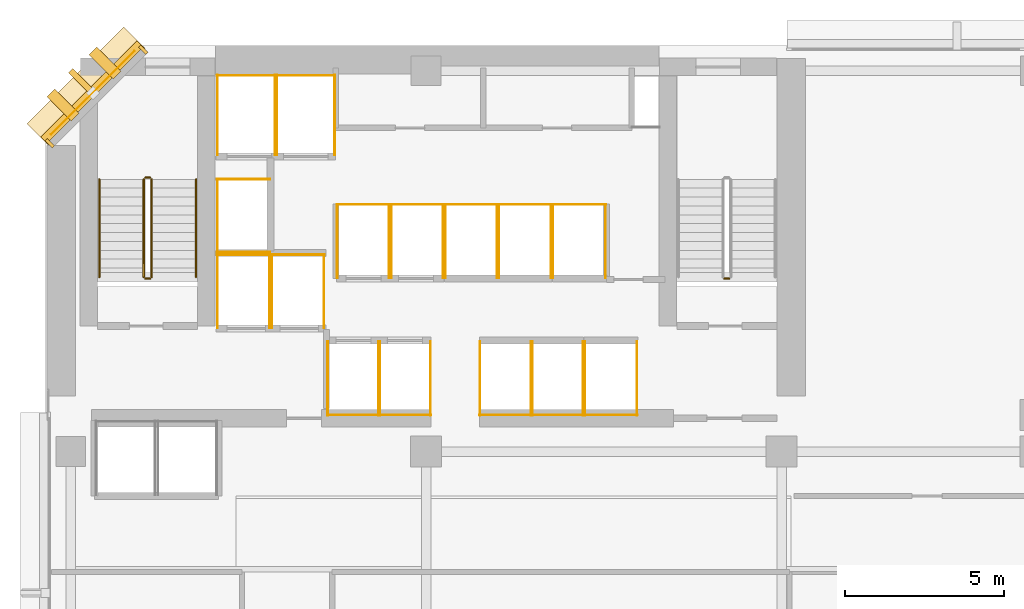
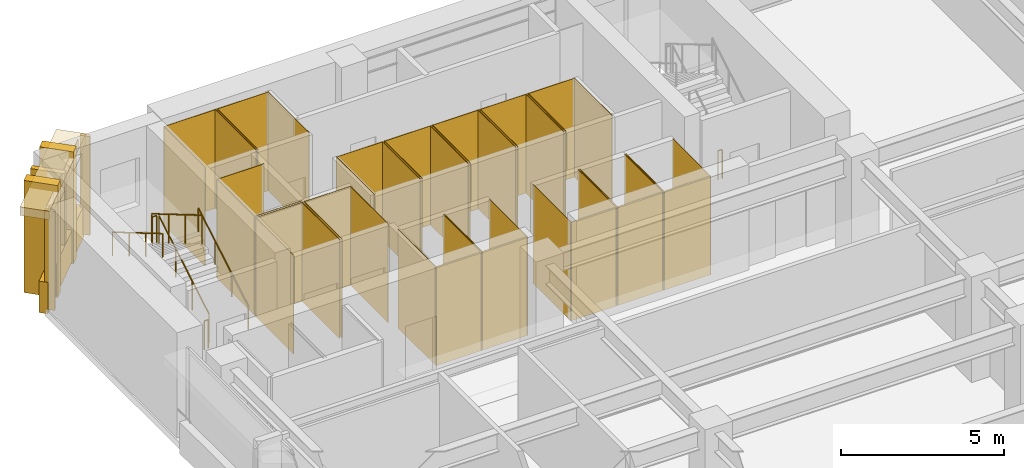
# One storey, part 11 of 13: 52 coverings, 7 railings, 1 shading device.
"""IFC4 building model written with IfcOpenShell, lengths in metres."""

from ifc_helpers import new_model, si_unit, direction, frame, origin, origin_2d, place, context, subcontext, project, spatial, polyline, rectangle, circle, outline, extrude, material, layer, layer_set, material_profile, profile_set, type_object, element, save


model = new_model("IFC4")

# Units and contexts
model_context = context("Model", 3, precision=1e-05, world=origin(), true_north=direction((0.0, 1.0)))
body_context = subcontext(model_context, "Body", "Model", "MODEL_VIEW")
ifc_project = project(units=[si_unit("LENGTHUNIT", "METRE"), si_unit("AREAUNIT", "SQUARE_METRE"), si_unit("VOLUMEUNIT", "CUBIC_METRE"), si_unit("PLANEANGLEUNIT", "RADIAN"), si_unit("MASSUNIT", "GRAM", prefix="KILO")], contexts=[model_context])

# Site, building, storey
site_placement = place(None, origin())
site = spatial("IfcSite", under=ifc_project, at=site_placement, CompositionType="ELEMENT")
building_placement = place(site_placement, origin())
building = spatial("IfcBuilding", under=site, at=building_placement, Name="Kefirva Bronze Tower", CompositionType="ELEMENT")
storey_placement = place(building_placement, frame((0.0, 0.0, 38.280029296875)))
storey = spatial("IfcBuildingStorey", under=building, at=storey_placement, Name="L08", CompositionType="ELEMENT", Elevation=38.280029296875)

# Coverings
ifc_material_1 = material(Name="Bronze anodised aluminium", Category="aluminium")
ifc_layer_1 = layer(ifc_material_1, 0.02001953125, Name="Bronze anodised aluminium")
ifc_layer_set_1 = layer_set([ifc_layer_1], Name="Bronze anodised aluminium")
covering_type_1 = type_object("IfcCoveringType", Name="Anodised Bronze Spandrel Cladding 20mm", PredefinedType="CLADDING", material=ifc_layer_set_1)
covering_1_placement = place(storey_placement, frame((1.492919921875, 44.507080078125, 3.2900390625), z_axis=(0.0, 0.0, 1.0), x_axis=(-0.707106781187, -0.707106781187, 0.0)))
element("IfcCovering", 1, at=covering_1_placement, inside=storey, type_object=covering_type_1, Name="L08 Bronze Spandrel Cladding 9", PredefinedType="CLADDING", context=body_context, shape_type="SweptSolid", body=[
    extrude(rectangle(XDim=3.719482421875, YDim=0.02001953125, at=origin_2d()), origin(), (0.0, 0.0, 1.0), 0.39990234375),
])
for number, where, z_axis, x_axis, name in (
    (2, (3.08837890625, 45.862060546875, 0.0), (0.0, 0.0, 1.0), (-0.707106781187, -0.707106781187, 0.0), "L08 Facade Joint Closure Panel 9S"),
    (3, (0.137939453125, 42.91162109375, 0.0), (0.0, 0.0, 1.0), (-0.707106781187, -0.707106781187, 0.0), "L08 Facade Joint Closure Panel 9E"),
):
    element("IfcCovering", number, at=place(storey_placement, frame(where, z_axis=z_axis, x_axis=x_axis)), inside=storey, type_object=covering_type_1, Name=name, PredefinedType="CLADDING", context=body_context, shape_type="SweptSolid", body=[
        extrude(rectangle(XDim=0.10009765625, YDim=0.320068359375, at=origin_2d()), origin(), (0.0, 0.0, 1.0), 3.7099609375),
    ])
covering_2_placement = place(storey_placement, frame((1.4716796875, 44.5283203125, -0.16015625), z_axis=(0.0, 0.0, 1.0), x_axis=(-0.707106781187, -0.707106781187, 0.0)))
element("IfcCovering", 4, at=covering_2_placement, inside=storey, type_object=covering_type_1, Name="L08 Streamline Horizontal Spandrel Band 13", PredefinedType="CLADDING", context=body_context, shape_type="SweptSolid", body=[
    extrude(rectangle(XDim=4.28271484375, YDim=0.280029296875, at=origin_2d()), origin(), (0.0, 0.0, 1.0), 1.179931640625),
])
covering_3_placement = place(storey_placement, origin())
element("IfcCovering", 5, at=covering_3_placement, inside=storey, type_object=covering_type_1, Name="L08 Lift FF1 Hoistway Liner N", PredefinedType="CLADDING", context=body_context, shape_type="SweptSolid", body=[
    extrude(outline(polyline([(5.39990234375, 39.389892578125), (7.080078125, 39.389892578125), (7.080078125, 39.409912109375), (5.39990234375, 39.409912109375), (5.39990234375, 39.389892578125)])), origin(), (0.0, 0.0, 1.0), 3.7099609375),
])
covering_4_placement = place(storey_placement, origin())
element("IfcCovering", 6, at=covering_4_placement, inside=storey, type_object=covering_type_1, Name="L08 Lift FF1 Hoistway Liner W", PredefinedType="CLADDING", context=body_context, shape_type="SweptSolid", body=[
    extrude(outline(polyline([(5.409912109375, 37.080078125), (5.429931640625, 37.080078125), (5.429931640625, 39.419921875), (5.409912109375, 39.419921875), (5.409912109375, 37.080078125)])), origin(), (0.0, 0.0, 1.0), 3.7099609375),
])
covering_5_placement = place(storey_placement, origin())
element("IfcCovering", 7, at=covering_5_placement, inside=storey, type_object=covering_type_1, Name="L08 Lift FF1 Hoistway Liner E", PredefinedType="CLADDING", context=body_context, shape_type="SweptSolid", body=[
    extrude(outline(polyline([(7.050048828125, 37.080078125), (7.070068359375, 37.080078125), (7.070068359375, 39.419921875), (7.050048828125, 39.419921875), (7.050048828125, 37.080078125)])), origin(), (0.0, 0.0, 1.0), 3.7099609375),
])
covering_6_placement = place(storey_placement, origin())
element("IfcCovering", 8, at=covering_6_placement, inside=storey, type_object=covering_type_1, Name="L08 Lift FF2 Hoistway Liner N", PredefinedType="CLADDING", context=body_context, shape_type="SweptSolid", body=[
    extrude(outline(polyline([(7.1201171875, 39.389892578125), (8.800048828125, 39.389892578125), (8.800048828125, 39.409912109375), (7.1201171875, 39.409912109375), (7.1201171875, 39.389892578125)])), origin(), (0.0, 0.0, 1.0), 3.7099609375),
])
covering_7_placement = place(storey_placement, origin())
element("IfcCovering", 9, at=covering_7_placement, inside=storey, type_object=covering_type_1, Name="L08 Lift FF2 Hoistway Liner W", PredefinedType="CLADDING", context=body_context, shape_type="SweptSolid", body=[
    extrude(outline(polyline([(7.1298828125, 37.080078125), (7.14990234375, 37.080078125), (7.14990234375, 39.419921875), (7.1298828125, 39.419921875), (7.1298828125, 37.080078125)])), origin(), (0.0, 0.0, 1.0), 3.7099609375),
])
covering_8_placement = place(storey_placement, origin())
element("IfcCovering", 10, at=covering_8_placement, inside=storey, type_object=covering_type_1, Name="L08 Lift FF2 Hoistway Liner E", PredefinedType="CLADDING", context=body_context, shape_type="SweptSolid", body=[
    extrude(outline(polyline([(8.77001953125, 37.080078125), (8.7900390625, 37.080078125), (8.7900390625, 39.419921875), (8.77001953125, 39.419921875), (8.77001953125, 37.080078125)])), origin(), (0.0, 0.0, 1.0), 3.7099609375),
])
covering_9_placement = place(storey_placement, origin())
element("IfcCovering", 11, at=covering_9_placement, inside=storey, type_object=covering_type_1, Name="L08 Lift SV1 Hoistway Liner N", PredefinedType="CLADDING", context=body_context, shape_type="SweptSolid", body=[
    extrude(outline(polyline([(5.39990234375, 45.0400390625), (7.260009765625, 45.0400390625), (7.260009765625, 45.06005859375), (5.39990234375, 45.06005859375), (5.39990234375, 45.0400390625)])), origin(), (0.0, 0.0, 1.0), 3.7099609375),
])
covering_10_placement = place(storey_placement, origin())
element("IfcCovering", 12, at=covering_10_placement, inside=storey, type_object=covering_type_1, Name="L08 Lift SV1 Hoistway Liner W", PredefinedType="CLADDING", context=body_context, shape_type="SweptSolid", body=[
    extrude(outline(polyline([(5.409912109375, 42.530029296875), (5.429931640625, 42.530029296875), (5.429931640625, 45.070068359375), (5.409912109375, 45.070068359375), (5.409912109375, 42.530029296875)])), origin(), (0.0, 0.0, 1.0), 3.7099609375),
])
covering_11_placement = place(storey_placement, origin())
element("IfcCovering", 13, at=covering_11_placement, inside=storey, type_object=covering_type_1, Name="L08 Lift SV1 Hoistway Liner E", PredefinedType="CLADDING", context=body_context, shape_type="SweptSolid", body=[
    extrude(outline(polyline([(7.22998046875, 42.530029296875), (7.25, 42.530029296875), (7.25, 45.070068359375), (7.22998046875, 45.070068359375), (7.22998046875, 42.530029296875)])), origin(), (0.0, 0.0, 1.0), 3.7099609375),
])
covering_12_placement = place(storey_placement, origin())
element("IfcCovering", 14, at=covering_12_placement, inside=storey, type_object=covering_type_1, Name="L08 Lift SV2 Hoistway Liner N", PredefinedType="CLADDING", context=body_context, shape_type="SweptSolid", body=[
    extrude(outline(polyline([(7.280029296875, 45.0400390625), (9.139892578125, 45.0400390625), (9.139892578125, 45.06005859375), (7.280029296875, 45.06005859375), (7.280029296875, 45.0400390625)])), origin(), (0.0, 0.0, 1.0), 3.7099609375),
])
covering_13_placement = place(storey_placement, origin())
element("IfcCovering", 15, at=covering_13_placement, inside=storey, type_object=covering_type_1, Name="L08 Lift SV2 Hoistway Liner W", PredefinedType="CLADDING", context=body_context, shape_type="SweptSolid", body=[
    extrude(outline(polyline([(7.2900390625, 42.530029296875), (7.31005859375, 42.530029296875), (7.31005859375, 45.070068359375), (7.2900390625, 45.070068359375), (7.2900390625, 42.530029296875)])), origin(), (0.0, 0.0, 1.0), 3.7099609375),
])
covering_14_placement = place(storey_placement, origin())
element("IfcCovering", 16, at=covering_14_placement, inside=storey, type_object=covering_type_1, Name="L08 Lift SV2 Hoistway Liner E", PredefinedType="CLADDING", context=body_context, shape_type="SweptSolid", body=[
    extrude(outline(polyline([(9.110107421875, 42.530029296875), (9.1298828125, 42.530029296875), (9.1298828125, 45.070068359375), (9.110107421875, 45.070068359375), (9.110107421875, 42.530029296875)])), origin(), (0.0, 0.0, 1.0), 3.7099609375),
])
covering_15_placement = place(storey_placement, origin())
element("IfcCovering", 17, at=covering_15_placement, inside=storey, type_object=covering_type_1, Name="L08 Lift LP1 Hoistway Liner S", PredefinedType="CLADDING", context=body_context, shape_type="SweptSolid", body=[
    extrude(outline(polyline([(8.8798828125, 34.340087890625), (10.52001953125, 34.340087890625), (10.52001953125, 34.360107421875), (8.8798828125, 34.360107421875), (8.8798828125, 34.340087890625)])), origin(), (0.0, 0.0, 1.0), 3.7099609375),
])
covering_16_placement = place(storey_placement, origin())
element("IfcCovering", 18, at=covering_16_placement, inside=storey, type_object=covering_type_1, Name="L08 Lift LP1 Hoistway Liner W", PredefinedType="CLADDING", context=body_context, shape_type="SweptSolid", body=[
    extrude(outline(polyline([(8.889892578125, 34.330078125), (8.909912109375, 34.330078125), (8.909912109375, 36.669921875), (8.889892578125, 36.669921875), (8.889892578125, 34.330078125)])), origin(), (0.0, 0.0, 1.0), 3.7099609375),
])
covering_17_placement = place(storey_placement, origin())
element("IfcCovering", 19, at=covering_17_placement, inside=storey, type_object=covering_type_1, Name="L08 Lift LP1 Hoistway Liner E", PredefinedType="CLADDING", context=body_context, shape_type="SweptSolid", body=[
    extrude(outline(polyline([(10.489990234375, 34.330078125), (10.510009765625, 34.330078125), (10.510009765625, 36.669921875), (10.489990234375, 36.669921875), (10.489990234375, 34.330078125)])), origin(), (0.0, 0.0, 1.0), 3.7099609375),
])
covering_18_placement = place(storey_placement, origin())
element("IfcCovering", 20, at=covering_18_placement, inside=storey, type_object=covering_type_1, Name="L08 Lift LP2 Hoistway Liner S", PredefinedType="CLADDING", context=body_context, shape_type="SweptSolid", body=[
    extrude(outline(polyline([(10.52001953125, 34.340087890625), (12.159912109375, 34.340087890625), (12.159912109375, 34.360107421875), (10.52001953125, 34.360107421875), (10.52001953125, 34.340087890625)])), origin(), (0.0, 0.0, 1.0), 3.7099609375),
])
covering_19_placement = place(storey_placement, origin())
element("IfcCovering", 21, at=covering_19_placement, inside=storey, type_object=covering_type_1, Name="L08 Lift LP2 Hoistway Liner W", PredefinedType="CLADDING", context=body_context, shape_type="SweptSolid", body=[
    extrude(outline(polyline([(10.530029296875, 34.330078125), (10.550048828125, 34.330078125), (10.550048828125, 36.669921875), (10.530029296875, 36.669921875), (10.530029296875, 34.330078125)])), origin(), (0.0, 0.0, 1.0), 3.7099609375),
])
covering_20_placement = place(storey_placement, origin())
element("IfcCovering", 22, at=covering_20_placement, inside=storey, type_object=covering_type_1, Name="L08 Lift LP2 Hoistway Liner E", PredefinedType="CLADDING", context=body_context, shape_type="SweptSolid", body=[
    extrude(outline(polyline([(12.1298828125, 34.330078125), (12.14990234375, 34.330078125), (12.14990234375, 36.669921875), (12.1298828125, 36.669921875), (12.1298828125, 34.330078125)])), origin(), (0.0, 0.0, 1.0), 3.7099609375),
])
covering_21_placement = place(storey_placement, origin())
element("IfcCovering", 23, at=covering_21_placement, inside=storey, type_object=covering_type_1, Name="L08 Lift LP3 Hoistway Liner N", PredefinedType="CLADDING", context=body_context, shape_type="SweptSolid", body=[
    extrude(outline(polyline([(9.179931640625, 40.969970703125), (10.85009765625, 40.969970703125), (10.85009765625, 40.989990234375), (9.179931640625, 40.989990234375), (9.179931640625, 40.969970703125)])), origin(), (0.0, 0.0, 1.0), 3.7099609375),
])
covering_22_placement = place(storey_placement, origin())
element("IfcCovering", 24, at=covering_22_placement, inside=storey, type_object=covering_type_1, Name="L08 Lift LP3 Hoistway Liner W", PredefinedType="CLADDING", context=body_context, shape_type="SweptSolid", body=[
    extrude(outline(polyline([(9.18994140625, 38.659912109375), (9.2099609375, 38.659912109375), (9.2099609375, 41.0), (9.18994140625, 41.0), (9.18994140625, 38.659912109375)])), origin(), (0.0, 0.0, 1.0), 3.7099609375),
])
covering_23_placement = place(storey_placement, origin())
element("IfcCovering", 25, at=covering_23_placement, inside=storey, type_object=covering_type_1, Name="L08 Lift LP3 Hoistway Liner E", PredefinedType="CLADDING", context=body_context, shape_type="SweptSolid", body=[
    extrude(outline(polyline([(10.820068359375, 38.659912109375), (10.840087890625, 38.659912109375), (10.840087890625, 41.0), (10.820068359375, 41.0), (10.820068359375, 38.659912109375)])), origin(), (0.0, 0.0, 1.0), 3.7099609375),
])
covering_24_placement = place(storey_placement, origin())
element("IfcCovering", 26, at=covering_24_placement, inside=storey, type_object=covering_type_1, Name="L08 Lift LP4 Hoistway Liner N", PredefinedType="CLADDING", context=body_context, shape_type="SweptSolid", body=[
    extrude(outline(polyline([(10.8798828125, 40.969970703125), (12.550048828125, 40.969970703125), (12.550048828125, 40.989990234375), (10.8798828125, 40.989990234375), (10.8798828125, 40.969970703125)])), origin(), (0.0, 0.0, 1.0), 3.7099609375),
])
covering_25_placement = place(storey_placement, origin())
element("IfcCovering", 27, at=covering_25_placement, inside=storey, type_object=covering_type_1, Name="L08 Lift LP4 Hoistway Liner W", PredefinedType="CLADDING", context=body_context, shape_type="SweptSolid", body=[
    extrude(outline(polyline([(10.889892578125, 38.659912109375), (10.909912109375, 38.659912109375), (10.909912109375, 41.0), (10.889892578125, 41.0), (10.889892578125, 38.659912109375)])), origin(), (0.0, 0.0, 1.0), 3.7099609375),
])
covering_26_placement = place(storey_placement, origin())
element("IfcCovering", 28, at=covering_26_placement, inside=storey, type_object=covering_type_1, Name="L08 Lift LP4 Hoistway Liner E", PredefinedType="CLADDING", context=body_context, shape_type="SweptSolid", body=[
    extrude(outline(polyline([(12.52001953125, 38.659912109375), (12.5400390625, 38.659912109375), (12.5400390625, 41.0), (12.52001953125, 41.0), (12.52001953125, 38.659912109375)])), origin(), (0.0, 0.0, 1.0), 3.7099609375),
])
covering_27_placement = place(storey_placement, origin())
element("IfcCovering", 29, at=covering_27_placement, inside=storey, type_object=covering_type_1, Name="L08 Lift MP1 Hoistway Liner S", PredefinedType="CLADDING", context=body_context, shape_type="SweptSolid", body=[
    extrude(outline(polyline([(13.679931640625, 34.340087890625), (15.320068359375, 34.340087890625), (15.320068359375, 34.360107421875), (13.679931640625, 34.360107421875), (13.679931640625, 34.340087890625)])), origin(), (0.0, 0.0, 1.0), 3.7099609375),
])
covering_28_placement = place(storey_placement, origin())
element("IfcCovering", 30, at=covering_28_placement, inside=storey, type_object=covering_type_1, Name="L08 Lift MP1 Hoistway Liner W", PredefinedType="CLADDING", context=body_context, shape_type="SweptSolid", body=[
    extrude(outline(polyline([(13.68994140625, 34.330078125), (13.7099609375, 34.330078125), (13.7099609375, 36.669921875), (13.68994140625, 36.669921875), (13.68994140625, 34.330078125)])), origin(), (0.0, 0.0, 1.0), 3.7099609375),
])
covering_29_placement = place(storey_placement, origin())
element("IfcCovering", 31, at=covering_29_placement, inside=storey, type_object=covering_type_1, Name="L08 Lift MP1 Hoistway Liner E", PredefinedType="CLADDING", context=body_context, shape_type="SweptSolid", body=[
    extrude(outline(polyline([(15.2900390625, 34.330078125), (15.31005859375, 34.330078125), (15.31005859375, 36.669921875), (15.2900390625, 36.669921875), (15.2900390625, 34.330078125)])), origin(), (0.0, 0.0, 1.0), 3.7099609375),
])
covering_30_placement = place(storey_placement, origin())
element("IfcCovering", 32, at=covering_30_placement, inside=storey, type_object=covering_type_1, Name="L08 Lift MP2 Hoistway Liner S", PredefinedType="CLADDING", context=body_context, shape_type="SweptSolid", body=[
    extrude(outline(polyline([(15.330078125, 34.340087890625), (16.969970703125, 34.340087890625), (16.969970703125, 34.360107421875), (15.330078125, 34.360107421875), (15.330078125, 34.340087890625)])), origin(), (0.0, 0.0, 1.0), 3.7099609375),
])
covering_31_placement = place(storey_placement, origin())
element("IfcCovering", 33, at=covering_31_placement, inside=storey, type_object=covering_type_1, Name="L08 Lift MP2 Hoistway Liner W", PredefinedType="CLADDING", context=body_context, shape_type="SweptSolid", body=[
    extrude(outline(polyline([(15.340087890625, 34.330078125), (15.360107421875, 34.330078125), (15.360107421875, 36.669921875), (15.340087890625, 36.669921875), (15.340087890625, 34.330078125)])), origin(), (0.0, 0.0, 1.0), 3.7099609375),
])
covering_32_placement = place(storey_placement, origin())
element("IfcCovering", 34, at=covering_32_placement, inside=storey, type_object=covering_type_1, Name="L08 Lift MP2 Hoistway Liner E", PredefinedType="CLADDING", context=body_context, shape_type="SweptSolid", body=[
    extrude(outline(polyline([(16.93994140625, 34.330078125), (16.9599609375, 34.330078125), (16.9599609375, 36.669921875), (16.93994140625, 36.669921875), (16.93994140625, 34.330078125)])), origin(), (0.0, 0.0, 1.0), 3.7099609375),
])
covering_33_placement = place(storey_placement, origin())
element("IfcCovering", 35, at=covering_33_placement, inside=storey, type_object=covering_type_1, Name="L08 Lift MP3 Hoistway Liner N", PredefinedType="CLADDING", context=body_context, shape_type="SweptSolid", body=[
    extrude(outline(polyline([(12.580078125, 40.969970703125), (14.25, 40.969970703125), (14.25, 40.989990234375), (12.580078125, 40.989990234375), (12.580078125, 40.969970703125)])), origin(), (0.0, 0.0, 1.0), 3.7099609375),
])
covering_34_placement = place(storey_placement, origin())
element("IfcCovering", 36, at=covering_34_placement, inside=storey, type_object=covering_type_1, Name="L08 Lift MP3 Hoistway Liner W", PredefinedType="CLADDING", context=body_context, shape_type="SweptSolid", body=[
    extrude(outline(polyline([(12.590087890625, 38.659912109375), (12.610107421875, 38.659912109375), (12.610107421875, 41.0), (12.590087890625, 41.0), (12.590087890625, 38.659912109375)])), origin(), (0.0, 0.0, 1.0), 3.7099609375),
])
covering_35_placement = place(storey_placement, origin())
element("IfcCovering", 37, at=covering_35_placement, inside=storey, type_object=covering_type_1, Name="L08 Lift MP3 Hoistway Liner E", PredefinedType="CLADDING", context=body_context, shape_type="SweptSolid", body=[
    extrude(outline(polyline([(14.219970703125, 38.659912109375), (14.239990234375, 38.659912109375), (14.239990234375, 41.0), (14.219970703125, 41.0), (14.219970703125, 38.659912109375)])), origin(), (0.0, 0.0, 1.0), 3.7099609375),
])
covering_36_placement = place(storey_placement, origin())
element("IfcCovering", 38, at=covering_36_placement, inside=storey, type_object=covering_type_1, Name="L08 Lift MP4 Hoistway Liner N", PredefinedType="CLADDING", context=body_context, shape_type="SweptSolid", body=[
    extrude(outline(polyline([(14.280029296875, 40.969970703125), (15.949951171875, 40.969970703125), (15.949951171875, 40.989990234375), (14.280029296875, 40.989990234375), (14.280029296875, 40.969970703125)])), origin(), (0.0, 0.0, 1.0), 3.7099609375),
])
covering_37_placement = place(storey_placement, origin())
element("IfcCovering", 39, at=covering_37_placement, inside=storey, type_object=covering_type_1, Name="L08 Lift MP4 Hoistway Liner W", PredefinedType="CLADDING", context=body_context, shape_type="SweptSolid", body=[
    extrude(outline(polyline([(14.2900390625, 38.659912109375), (14.31005859375, 38.659912109375), (14.31005859375, 41.0), (14.2900390625, 41.0), (14.2900390625, 38.659912109375)])), origin(), (0.0, 0.0, 1.0), 3.7099609375),
])
covering_38_placement = place(storey_placement, origin())
element("IfcCovering", 40, at=covering_38_placement, inside=storey, type_object=covering_type_1, Name="L08 Lift MP4 Hoistway Liner E", PredefinedType="CLADDING", context=body_context, shape_type="SweptSolid", body=[
    extrude(outline(polyline([(15.919921875, 38.659912109375), (15.93994140625, 38.659912109375), (15.93994140625, 41.0), (15.919921875, 41.0), (15.919921875, 38.659912109375)])), origin(), (0.0, 0.0, 1.0), 3.7099609375),
])
covering_39_placement = place(storey_placement, origin())
element("IfcCovering", 41, at=covering_39_placement, inside=storey, type_object=covering_type_1, Name="L08 Lift HP1 Hoistway Liner S", PredefinedType="CLADDING", context=body_context, shape_type="SweptSolid", body=[
    extrude(outline(polyline([(16.97998046875, 34.340087890625), (18.669921875, 34.340087890625), (18.669921875, 34.360107421875), (16.97998046875, 34.360107421875), (16.97998046875, 34.340087890625)])), origin(), (0.0, 0.0, 1.0), 3.7099609375),
])
covering_40_placement = place(storey_placement, origin())
element("IfcCovering", 42, at=covering_40_placement, inside=storey, type_object=covering_type_1, Name="L08 Lift HP1 Hoistway Liner W", PredefinedType="CLADDING", context=body_context, shape_type="SweptSolid", body=[
    extrude(outline(polyline([(16.989990234375, 34.330078125), (17.010009765625, 34.330078125), (17.010009765625, 36.669921875), (16.989990234375, 36.669921875), (16.989990234375, 34.330078125)])), origin(), (0.0, 0.0, 1.0), 3.7099609375),
])
covering_41_placement = place(storey_placement, origin())
element("IfcCovering", 43, at=covering_41_placement, inside=storey, type_object=covering_type_1, Name="L08 Lift HP1 Hoistway Liner E", PredefinedType="CLADDING", context=body_context, shape_type="SweptSolid", body=[
    extrude(outline(polyline([(18.639892578125, 34.330078125), (18.659912109375, 34.330078125), (18.659912109375, 36.669921875), (18.639892578125, 36.669921875), (18.639892578125, 34.330078125)])), origin(), (0.0, 0.0, 1.0), 3.7099609375),
])
covering_42_placement = place(storey_placement, origin())
element("IfcCovering", 44, at=covering_42_placement, inside=storey, type_object=covering_type_1, Name="L08 Lift HP2 Hoistway Liner N", PredefinedType="CLADDING", context=body_context, shape_type="SweptSolid", body=[
    extrude(outline(polyline([(15.97998046875, 40.969970703125), (17.669921875, 40.969970703125), (17.669921875, 40.989990234375), (15.97998046875, 40.989990234375), (15.97998046875, 40.969970703125)])), origin(), (0.0, 0.0, 1.0), 3.7099609375),
])
covering_43_placement = place(storey_placement, origin())
element("IfcCovering", 45, at=covering_43_placement, inside=storey, type_object=covering_type_1, Name="L08 Lift HP2 Hoistway Liner W", PredefinedType="CLADDING", context=body_context, shape_type="SweptSolid", body=[
    extrude(outline(polyline([(15.989990234375, 38.659912109375), (16.010009765625, 38.659912109375), (16.010009765625, 41.0), (15.989990234375, 41.0), (15.989990234375, 38.659912109375)])), origin(), (0.0, 0.0, 1.0), 3.7099609375),
])
covering_44_placement = place(storey_placement, origin())
element("IfcCovering", 46, at=covering_44_placement, inside=storey, type_object=covering_type_1, Name="L08 Lift HP2 Hoistway Liner E", PredefinedType="CLADDING", context=body_context, shape_type="SweptSolid", body=[
    extrude(outline(polyline([(17.639892578125, 38.659912109375), (17.659912109375, 38.659912109375), (17.659912109375, 41.0), (17.639892578125, 41.0), (17.639892578125, 38.659912109375)])), origin(), (0.0, 0.0, 1.0), 3.7099609375),
])
covering_45_placement = place(storey_placement, origin())
element("IfcCovering", 47, at=covering_45_placement, inside=storey, type_object=covering_type_1, Name="L08 Lift HP3 Hoistway Liner N", PredefinedType="CLADDING", context=body_context, shape_type="SweptSolid", body=[
    extrude(outline(polyline([(5.39990234375, 41.77001953125), (7.080078125, 41.77001953125), (7.080078125, 41.7900390625), (5.39990234375, 41.7900390625), (5.39990234375, 41.77001953125)])), origin(), (0.0, 0.0, 1.0), 3.7099609375),
])
covering_46_placement = place(storey_placement, origin())
element("IfcCovering", 48, at=covering_46_placement, inside=storey, type_object=covering_type_1, Name="L08 Lift HP3 Hoistway Liner S", PredefinedType="CLADDING", context=body_context, shape_type="SweptSolid", body=[
    extrude(outline(polyline([(5.39990234375, 39.469970703125), (7.080078125, 39.469970703125), (7.080078125, 39.489990234375), (5.39990234375, 39.489990234375), (5.39990234375, 39.469970703125)])), origin(), (0.0, 0.0, 1.0), 3.7099609375),
])
covering_47_placement = place(storey_placement, origin())
element("IfcCovering", 49, at=covering_47_placement, inside=storey, type_object=covering_type_1, Name="L08 Lift HP3 Hoistway Liner W", PredefinedType="CLADDING", context=body_context, shape_type="SweptSolid", body=[
    extrude(outline(polyline([(5.409912109375, 39.4599609375), (5.429931640625, 39.4599609375), (5.429931640625, 41.800048828125), (5.409912109375, 41.800048828125), (5.409912109375, 39.4599609375)])), origin(), (0.0, 0.0, 1.0), 3.7099609375),
])

# Shading device
ifc_material_profile = material_profile(ifc_material_1, rectangle(XDim=0.179931640625, YDim=1.080078125, at=origin_2d()), Name="BRONZE BUTTRESS FIN 180x1080")
ifc_profile_set = profile_set([ifc_material_profile], Name="Bronze anodised aluminium")
shading_device_type = type_object("IfcShadingDeviceType", Name="Chamfered Corner Buttress Bronze Fin 1080mm", PredefinedType="USERDEFINED", material=ifc_profile_set)
shading_device_placement = place(storey_placement, frame((1.1748046875, 44.8251953125, -0.14013671875), z_axis=(0.0, 0.0, 1.0), x_axis=(-0.707106781187, -0.707106781187, 0.0)))
element("IfcShadingDevice", 50, at=shading_device_placement, inside=storey, type_object=shading_device_type, Name="L08 Chamfered Corner Buttress Fin 24", ObjectType="VERTICAL FIN", PredefinedType="USERDEFINED", context=body_context, shape_type="SweptSolid", body=[
    extrude(rectangle(XDim=0.179931640625, YDim=1.080078125, at=origin_2d()), origin(), (0.0, 0.0, 1.0), 3.85009765625),
])

# Railings
ifc_material_2 = material(Name="Stainless steel 316", Category="steel")
railing_type_1 = type_object("IfcRailingType", Name="Interior Stair Guardrail 1100mm", PredefinedType="GUARDRAIL", material=ifc_material_2)
railing_1_placement = place(storey_placement, frame((3.35009765625, 38.699951171875, 0.1650390625)))
element("IfcRailing", 51, at=railing_1_placement, inside=storey, type_object=railing_type_1, Name="L08 ST-1 stair guard 1", PredefinedType="GUARDRAIL", context=body_context, shape_type="SweptSolid", body=[
    extrude(circle(Radius=0.02392578125, at=origin_2d()), frame((0.0, 0.0, 1.076171875), z_axis=(0.0, 0.861551262678, 0.507670583921), x_axis=(-1.0, 0.0, 0.0)), (0.0, 0.0, 1.0), 3.574951171875),
    extrude(circle(Radius=0.02099609375, at=origin_2d()), origin(), (0.0, 0.0, 1.0), 1.052001953125),
    extrude(circle(Radius=0.02099609375, at=origin_2d()), frame((0.0, 1.026611328125, 0.60498046875)), (0.0, 0.0, 1.0), 1.052001953125),
    extrude(circle(Radius=0.02099609375, at=origin_2d()), frame((0.0, 2.053466796875, 1.2099609375)), (0.0, 0.0, 1.0), 1.052001953125),
    extrude(circle(Radius=0.02099609375, at=origin_2d()), frame((0.0, 3.080078125, 1.81494140625)), (0.0, 0.0, 1.0), 1.052001953125),
])
railing_2_placement = place(storey_placement, frame((3.300048828125, 41.830078125, 1.97998046875)))
element("IfcRailing", 52, at=railing_2_placement, inside=storey, type_object=railing_type_1, Name="L08 ST-1 stair guard 2", PredefinedType="GUARDRAIL", context=body_context, shape_type="SweptSolid", body=[
    extrude(circle(Radius=0.02392578125, at=origin_2d()), frame((0.0, 0.0, 1.076171875), z_axis=(-1.0, 0.0, 0.0), x_axis=(0.0, -1.0, 0.0)), (0.0, 0.0, 1.0), 0.150146484375),
    extrude(circle(Radius=0.02099609375, at=origin_2d()), origin(), (0.0, 0.0, 1.0), 1.052001953125),
    extrude(circle(Radius=0.02099609375, at=origin_2d()), frame((-0.150146484375, 0.0, 0.0)), (0.0, 0.0, 1.0), 1.052001953125),
])
railing_3_placement = place(storey_placement, frame((3.10009765625, 41.780029296875, 2.14501953125)))
element("IfcRailing", 53, at=railing_3_placement, inside=storey, type_object=railing_type_1, Name="L08 ST-1 stair guard 3", PredefinedType="GUARDRAIL", context=body_context, shape_type="SweptSolid", body=[
    extrude(circle(Radius=0.02392578125, at=origin_2d()), frame((0.0, 0.0, 1.076171875), z_axis=(0.0, -0.861551262678, 0.507670583921), x_axis=(1.0, 0.0, 0.0)), (0.0, 0.0, 1.0), 3.574951171875),
    extrude(circle(Radius=0.02099609375, at=origin_2d()), origin(), (0.0, 0.0, 1.0), 1.052001953125),
    extrude(circle(Radius=0.02099609375, at=origin_2d()), frame((0.0, -1.026611328125, 0.60498046875)), (0.0, 0.0, 1.0), 1.052001953125),
    extrude(circle(Radius=0.02099609375, at=origin_2d()), frame((0.0, -2.053466796875, 1.2099609375)), (0.0, 0.0, 1.0), 1.052001953125),
    extrude(circle(Radius=0.02099609375, at=origin_2d()), frame((0.0, -3.080078125, 1.81494140625)), (0.0, 0.0, 1.0), 1.052001953125),
])
for number, where, name in (
    (54, (3.300048828125, 38.64990234375, 0.0), "L08 ST-1 stair guard 4"),
    (55, (21.550048828125, 38.64990234375, 0.0), "L08 ST-2 stair guard 4"),
):
    element("IfcRailing", number, at=place(storey_placement, frame(where)), inside=storey, type_object=railing_type_1, Name=name, PredefinedType="GUARDRAIL", context=body_context, shape_type="SweptSolid", body=[
        extrude(circle(Radius=0.02392578125, at=origin_2d()), frame((0.0, 0.0, 1.076171875), z_axis=(-1.0, 0.0, 0.0), x_axis=(0.0, -1.0, 0.0)), (0.0, 0.0, 1.0), 0.150146484375),
        extrude(circle(Radius=0.02099609375, at=origin_2d()), origin(), (0.0, 0.0, 1.0), 1.052001953125),
        extrude(circle(Radius=0.02099609375, at=origin_2d()), frame((-0.150146484375, 0.0, 0.0)), (0.0, 0.0, 1.0), 1.052001953125),
    ])
railing_type_2 = type_object("IfcRailingType", Name="Stair Pitch Handrail 900mm", PredefinedType="HANDRAIL", material=ifc_material_2)
railing_4_placement = place(storey_placement, frame((4.75, 38.699951171875, 0.1650390625)))
element("IfcRailing", 56, at=railing_4_placement, inside=storey, type_object=railing_type_2, Name="L08 ST-1 stair handrail 1", PredefinedType="HANDRAIL", context=body_context, shape_type="SweptSolid", body=[
    extrude(circle(Radius=0.02392578125, at=origin_2d()), frame((0.0, 0.0, 0.8759765625), z_axis=(0.0, 0.861551262678, 0.507670583921), x_axis=(-1.0, 0.0, 0.0)), (0.0, 0.0, 1.0), 3.574951171875),
    extrude(circle(Radius=0.02099609375, at=origin_2d()), origin(), (0.0, 0.0, 1.0), 0.851806640625),
    extrude(circle(Radius=0.02099609375, at=origin_2d()), frame((0.0, 1.026611328125, 0.60498046875)), (0.0, 0.0, 1.0), 0.851806640625),
    extrude(circle(Radius=0.02099609375, at=origin_2d()), frame((0.0, 2.053466796875, 1.2099609375)), (0.0, 0.0, 1.0), 0.851806640625),
    extrude(circle(Radius=0.02099609375, at=origin_2d()), frame((0.0, 3.080078125, 1.81494140625)), (0.0, 0.0, 1.0), 0.851806640625),
])
railing_5_placement = place(storey_placement, frame((1.699951171875, 41.780029296875, 2.14501953125)))
element("IfcRailing", 57, at=railing_5_placement, inside=storey, type_object=railing_type_2, Name="L08 ST-1 stair handrail 2", PredefinedType="HANDRAIL", context=body_context, shape_type="SweptSolid", body=[
    extrude(circle(Radius=0.02392578125, at=origin_2d()), frame((0.0, 0.0, 0.8759765625), z_axis=(0.0, -0.861551262678, 0.507670583921), x_axis=(1.0, 0.0, 0.0)), (0.0, 0.0, 1.0), 3.574951171875),
    extrude(circle(Radius=0.02099609375, at=origin_2d()), origin(), (0.0, 0.0, 1.0), 0.851806640625),
    extrude(circle(Radius=0.02099609375, at=origin_2d()), frame((0.0, -1.026611328125, 0.60498046875)), (0.0, 0.0, 1.0), 0.851806640625),
    extrude(circle(Radius=0.02099609375, at=origin_2d()), frame((0.0, -2.053466796875, 1.2099609375)), (0.0, 0.0, 1.0), 0.851806640625),
    extrude(circle(Radius=0.02099609375, at=origin_2d()), frame((0.0, -3.080078125, 1.81494140625)), (0.0, 0.0, 1.0), 0.851806640625),
])

# Coverings
ifc_layer_2 = layer(ifc_material_1, 0.179931640625, Name="Bronze anodised aluminium")
ifc_layer_set_2 = layer_set([ifc_layer_2], Name="Bronze anodised aluminium")
covering_type_2 = type_object("IfcCoveringType", Name="Streamline Bronze Sunshade Eyebrow Cladding 180mm", PredefinedType="CLADDING", material=ifc_layer_set_2)
covering_48_placement = place(storey_placement, frame((1.28076171875, 44.71923828125, 3.39013671875), z_axis=(0.0, 0.0, 1.0), x_axis=(-0.707106781187, -0.707106781187, 0.0)))
element("IfcCovering", 58, at=covering_48_placement, inside=storey, type_object=covering_type_2, Name="L08 Streamline Bronze Sunshade Eyebrow 13", PredefinedType="CLADDING", context=body_context, shape_type="SweptSolid", body=[
    extrude(rectangle(XDim=4.322509765625, YDim=0.93994140625, at=origin_2d()), origin(), (0.0, 0.0, 1.0), 0.320068359375),
])
ifc_layer_3 = layer(ifc_material_1, 0.260009765625, Name="Bronze anodised aluminium")
ifc_layer_set_3 = layer_set([ifc_layer_3], Name="Bronze anodised aluminium")
covering_type_3 = type_object("IfcCoveringType", Name="Unbroken Bronze Buttress Fin Cladding 260mm", PredefinedType="CLADDING", material=ifc_layer_set_3)
for number, where, z_axis, x_axis, name in (
    (59, (1.877197265625, 45.44287109375, -0.25), (0.0, 0.0, 1.0), (-0.707106781187, -0.707106781187, 0.0), "L08 Chamfered Corner Buttress Fin Cladding 23"),
    (60, (0.55712890625, 44.122802734375, -0.25), (0.0, 0.0, 1.0), (-0.707106781187, -0.707106781187, 0.0), "L08 Chamfered Corner Buttress Fin Cladding 24"),
):
    element("IfcCovering", number, at=place(storey_placement, frame(where, z_axis=z_axis, x_axis=x_axis)), inside=storey, type_object=covering_type_3, Name=name, PredefinedType="CLADDING", context=body_context, shape_type="SweptSolid", body=[
        extrude(rectangle(XDim=0.340087890625, YDim=1.080078125, at=origin_2d()), origin(), (0.0, 0.0, 1.0), 4.2099609375),
    ])

save(model, "model.ifc")
